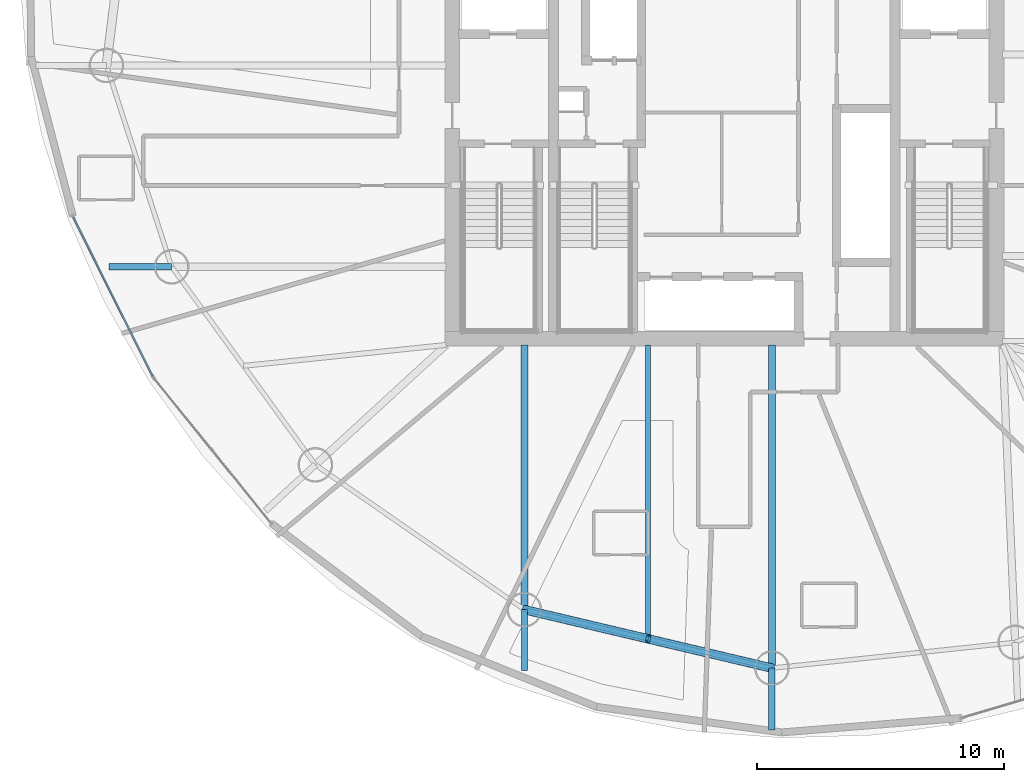
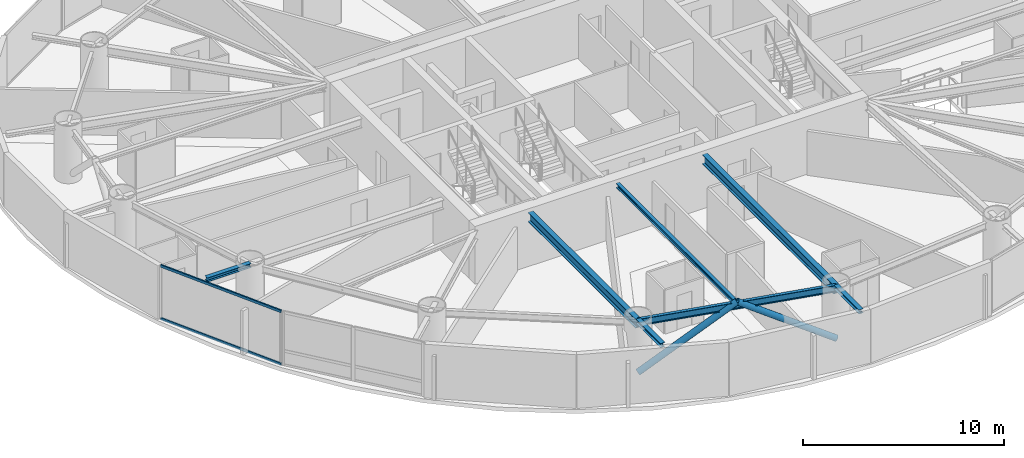
# One storey, part 3 of 24: 7 beams, 4 members, 1 element without a shape of its own.
"""IFC4 building model written with IfcOpenShell, lengths in metres."""

from ifc_helpers import new_model, si_unit, direction, frame, origin, origin_2d, place, context, subcontext, project, spatial, hollow_rectangle, hollow_circle, i_section, extrude, material, layer, layer_set, material_profile, profile_set, type_object, element, aggregate, save


model = new_model("IFC4")

# Units and contexts
model_context = context("Model", 3, precision=1e-05, world=origin(), true_north=direction((0.0, 1.0)))
body_context = subcontext(model_context, "Body", "Model", "MODEL_VIEW")
ifc_project = project(units=[si_unit("LENGTHUNIT", "METRE"), si_unit("AREAUNIT", "SQUARE_METRE"), si_unit("VOLUMEUNIT", "CUBIC_METRE"), si_unit("PLANEANGLEUNIT", "RADIAN"), si_unit("MASSUNIT", "GRAM", prefix="KILO")], contexts=[model_context])

# Site, building, storey
site_placement = place(None, origin())
site = spatial("IfcSite", under=ifc_project, at=site_placement, CompositionType="ELEMENT")
building_placement = place(site_placement, origin())
building = spatial("IfcBuilding", under=site, at=building_placement, Name="Bramvorn Convention Spire", CompositionType="ELEMENT")
storey_placement = place(building_placement, frame((0.0, 0.0, 148.300048828125)))
storey = spatial("IfcBuildingStorey", under=building, at=storey_placement, Name="L37", CompositionType="ELEMENT", Elevation=148.300048828125)

# Beams
ifc_material_1 = material(Name="Steel CSA G40.21 Grade 350 (350W)", Category="steel")
ifc_material_profile_1 = material_profile(ifc_material_1, i_section(OverallWidth=0.201904296875, OverallDepth=0.2470703125, WebThickness=0.00732421875, FlangeThickness=0.010986328125, FilletRadius=0.011962890625, at=origin_2d()))
ifc_profile_set_1 = profile_set([ifc_material_profile_1], Name="Steel CSA G40.21 Grade 350 (350W) - W250X49")
beam_type_1 = type_object("IfcBeamType", Name="BM-W250X49", PredefinedType="JOIST", material=ifc_profile_set_1)
beam_1_placement = place(storey_placement, frame((34.920654296875, 18.550048828125, 3.136474609375), z_axis=(0.0, -1.0, 0.0), x_axis=(1.0, 0.0, 0.0)))
element("IfcBeam", 1, at=beam_1_placement, inside=storey, type_object=beam_type_1, Name="L37 composite floor joist 13", PredefinedType="JOIST", context=body_context, shape_type="SweptSolid", body=[
    extrude(i_section(OverallWidth=0.201904296875, OverallDepth=0.2470703125, WebThickness=0.00732421875, FlangeThickness=0.010986328125, FilletRadius=0.011962890625, at=origin_2d()), origin(), (0.0, 0.0, 1.0), 11.8857421875),
])
ifc_material_profile_2 = material_profile(ifc_material_1, i_section(OverallWidth=0.25390625, OverallDepth=0.2529296875, WebThickness=0.008544921875, FlangeThickness=0.01416015625, FilletRadius=0.011962890625, at=origin_2d()))
ifc_profile_set_2 = profile_set([ifc_material_profile_2], Name="Steel CSA G40.21 Grade 350 (350W) - W250X73")
beam_type_2 = type_object("IfcBeamType", Name="BM-W250X73", PredefinedType="BEAM", material=ifc_profile_set_2)
beam_2_placement = place(storey_placement, frame((15.654296875, 21.706787109375, 3.133544921875), z_axis=(-1.0, 0.0, 0.0), x_axis=(0.0, -1.0, 0.0)))
element("IfcBeam", 2, at=beam_2_placement, inside=storey, type_object=beam_type_2, Name="L37 slab-edge cantilever tip beam MC11", PredefinedType="BEAM", context=body_context, shape_type="SweptSolid", body=[
    extrude(i_section(OverallWidth=0.25390625, OverallDepth=0.2529296875, WebThickness=0.008544921875, FlangeThickness=0.01416015625, FilletRadius=0.011962890625, at=origin_2d()), origin(), (0.0, 0.0, 1.0), 2.52734375),
])
beam_3_placement = place(storey_placement, frame((29.917236328125, 7.845947265625, 3.133544921875), z_axis=(0.0, -1.0, 0.0), x_axis=(1.0, 0.0, 0.0)))
element("IfcBeam", 3, at=beam_3_placement, inside=storey, type_object=beam_type_2, Name="L37 slab-edge cantilever tip beam MC13", PredefinedType="BEAM", context=body_context, shape_type="SweptSolid", body=[
    extrude(i_section(OverallWidth=0.25390625, OverallDepth=0.2529296875, WebThickness=0.008544921875, FlangeThickness=0.01416015625, FilletRadius=0.011962890625, at=origin_2d()), origin(), (0.0, 0.0, 1.0), 2.45703125),
])
beam_4_placement = place(storey_placement, frame((39.924072265625, 5.482666015625, 3.133544921875), z_axis=(0.0, -1.0, 0.0), x_axis=(1.0, 0.0, 0.0)))
element("IfcBeam", 4, at=beam_4_placement, inside=storey, type_object=beam_type_2, Name="L37 slab-edge cantilever tip beam MC14", PredefinedType="BEAM", context=body_context, shape_type="SweptSolid", body=[
    extrude(i_section(OverallWidth=0.25390625, OverallDepth=0.2529296875, WebThickness=0.008544921875, FlangeThickness=0.01416015625, FilletRadius=0.011962890625, at=origin_2d()), origin(), (0.0, 0.0, 1.0), 2.500244140625),
])
ifc_material_profile_3 = material_profile(ifc_material_1, i_section(OverallWidth=0.180908203125, OverallDepth=0.4169921875, WebThickness=0.010986328125, FlangeThickness=0.018310546875, FilletRadius=0.01611328125, at=origin_2d()))
ifc_profile_set_3 = profile_set([ifc_material_profile_3], Name="Steel CSA G40.21 Grade 350 (350W) - W410X85")
beam_type_3 = type_object("IfcBeamType", Name="BM-W410X85", PredefinedType="JOIST", material=ifc_profile_set_3)
beam_5_placement = place(storey_placement, frame((29.917236328125, 7.845947265625, 3.051513671875), z_axis=(0.97322750491, -0.229843911572, 0.0), x_axis=(0.229843911572, 0.97322750491, 0.0)))
element("IfcBeam", 5, at=beam_5_placement, inside=storey, type_object=beam_type_3, Name="L37 mega-column ring beam 13", PredefinedType="JOIST", context=body_context, shape_type="SweptSolid", body=[
    extrude(i_section(OverallWidth=0.180908203125, OverallDepth=0.4169921875, WebThickness=0.010986328125, FlangeThickness=0.018310546875, FilletRadius=0.01611328125, at=origin_2d()), origin(), (0.0, 0.0, 1.0), 10.2822265625),
])
ifc_material_profile_4 = material_profile(ifc_material_1, i_section(OverallWidth=0.2919921875, OverallDepth=0.551025390625, WebThickness=0.01513671875, FlangeThickness=0.0244140625, FilletRadius=0.01904296875, at=origin_2d()))
ifc_profile_set_4 = profile_set([ifc_material_profile_4], Name="Steel CSA G40.21 Grade 350 (350W) - W530X182")
beam_type_4 = type_object("IfcBeamType", Name="BM-W530X182", PredefinedType="BEAM", material=ifc_profile_set_4)
beam_6_placement = place(storey_placement, frame((29.917236328125, 18.550048828125, 2.984375), z_axis=(0.0, -1.0, 0.0), x_axis=(1.0, 0.0, 0.0)))
element("IfcBeam", 6, at=beam_6_placement, inside=storey, type_object=beam_type_4, Name="L37 radial floor girder MC13", PredefinedType="BEAM", context=body_context, shape_type="SweptSolid", body=[
    extrude(i_section(OverallWidth=0.2919921875, OverallDepth=0.551025390625, WebThickness=0.01513671875, FlangeThickness=0.0244140625, FilletRadius=0.01904296875, at=origin_2d()), origin(), (0.0, 0.0, 1.0), 10.7041015625),
])
beam_7_placement = place(storey_placement, frame((39.924072265625, 18.550048828125, 2.984375), z_axis=(0.0, -1.0, 0.0), x_axis=(1.0, 0.0, 0.0)))
element("IfcBeam", 7, at=beam_7_placement, inside=storey, type_object=beam_type_4, Name="L37 radial floor girder MC14", PredefinedType="BEAM", context=body_context, shape_type="SweptSolid", body=[
    extrude(i_section(OverallWidth=0.2919921875, OverallDepth=0.551025390625, WebThickness=0.01513671875, FlangeThickness=0.0244140625, FilletRadius=0.01904296875, at=origin_2d()), origin(), (0.0, 0.0, 1.0), 13.0673828125),
])

# Curtain wall, members
ifc_material_2 = material(Name="Anodised Bronze Unitised Curtain Wall", Category="aluminium")
ifc_layer = layer(ifc_material_2, 0.179931640625)
ifc_layer_set = layer_set([ifc_layer], Name="Anodised Bronze Unitised Curtain Wall - CW-HTL-FRIT")
curtain_wall_type = type_object("IfcCurtainWallType", Name="CW-HTL-FRIT", PredefinedType="USERDEFINED", material=ifc_layer_set)
curtain_wall_placement = place(storey_placement, origin())
curtain_wall = element("IfcCurtainWall", 8, at=curtain_wall_placement, inside=storey, type_object=curtain_wall_type, Name="L37 fritted glass curtain wall 16", ObjectType="UNITISED CURTAIN WALL", PredefinedType="USERDEFINED")
ifc_material_3 = material(Name="Anodised Bronze Aluminium 6063-T6", Category="aluminium")
ifc_material_profile_5 = material_profile(ifc_material_3, hollow_rectangle(XDim=0.080078125, YDim=0.159912109375, WallThickness=0.00390625, InnerFilletRadius=0.0009765625, OuterFilletRadius=0.00390625, at=origin_2d()))
ifc_profile_set_5 = profile_set([ifc_material_profile_5], Name="Anodised Bronze Aluminium 6063-T6 - CWT80X160")
member_type_1 = type_object("IfcMemberType", Name="CW-TRN-150", PredefinedType="USERDEFINED", material=ifc_profile_set_5)
member_1_placement = place(storey_placement, frame((14.888916015625, 17.2841796875, 0.030029296875), z_axis=(-0.446587126886, 0.894740151161, 0.0), x_axis=(-0.894740151161, -0.446587126886, 0.0)))
member_1 = element("IfcMember", 9, at=member_1_placement, type_object=member_type_1, Name="CW2 transom 1.1", ObjectType="TRANSOM", PredefinedType="USERDEFINED", context=body_context, shape_type="SweptSolid", body=[
    extrude(hollow_rectangle(XDim=0.080078125, YDim=0.159912109375, WallThickness=0.00390625, InnerFilletRadius=0.0009765625, OuterFilletRadius=0.00390625, at=origin_2d()), origin(), (0.0, 0.0, 1.0), 7.171875),
])
member_2_placement = place(storey_placement, frame((14.888916015625, 17.2841796875, 3.22998046875), z_axis=(-0.446587126886, 0.894740151161, 0.0), x_axis=(-0.894740151161, -0.446587126886, 0.0)))
member_2 = element("IfcMember", 10, at=member_2_placement, type_object=member_type_1, Name="CW2 transom 1.2", ObjectType="TRANSOM", PredefinedType="USERDEFINED", context=body_context, shape_type="SweptSolid", body=[
    extrude(hollow_rectangle(XDim=0.080078125, YDim=0.159912109375, WallThickness=0.00390625, InnerFilletRadius=0.0009765625, OuterFilletRadius=0.00390625, at=origin_2d()), origin(), (0.0, 0.0, 1.0), 7.171875),
])
aggregate(curtain_wall, [member_1, member_2])

# Members
ifc_material_profile_6 = material_profile(ifc_material_1, hollow_circle(Radius=0.177734375, WallThickness=0.015869140625, at=origin_2d()))
ifc_profile_set_6 = profile_set([ifc_material_profile_6], Name="Steel CSA G40.21 Grade 350 (350W) - CHS356X16")
member_type_2 = type_object("IfcMemberType", Name="MBR-CHS356X16", PredefinedType="BRACE", material=ifc_profile_set_6)
for number, where, z_axis, x_axis, name in (
    (11, (29.917236328125, 7.845947265625, 0.0), (0.82191146009, -0.194108103193, 0.53552179792), (0.229843911572, 0.97322750491, 0.0), "L37 perimeter Gothic lancet brace 13A"),
    (12, (39.924072265625, 5.482666015625, 0.0), (-0.82191146009, 0.194108103193, 0.53552179792), (-0.229843911572, -0.97322750491, 0.0), "L37 perimeter Gothic lancet brace 13B"),
):
    element("IfcMember", number, at=place(storey_placement, frame(where, z_axis=z_axis, x_axis=x_axis)), inside=storey, type_object=member_type_2, Name=name, PredefinedType="BRACE", context=body_context, shape_type="SweptSolid", body=[
        extrude(hollow_circle(Radius=0.177734375, WallThickness=0.015869140625, at=origin_2d()), origin(), (0.0, 0.0, 1.0), 6.087646484375),
    ])

save(model, "model.ifc")
